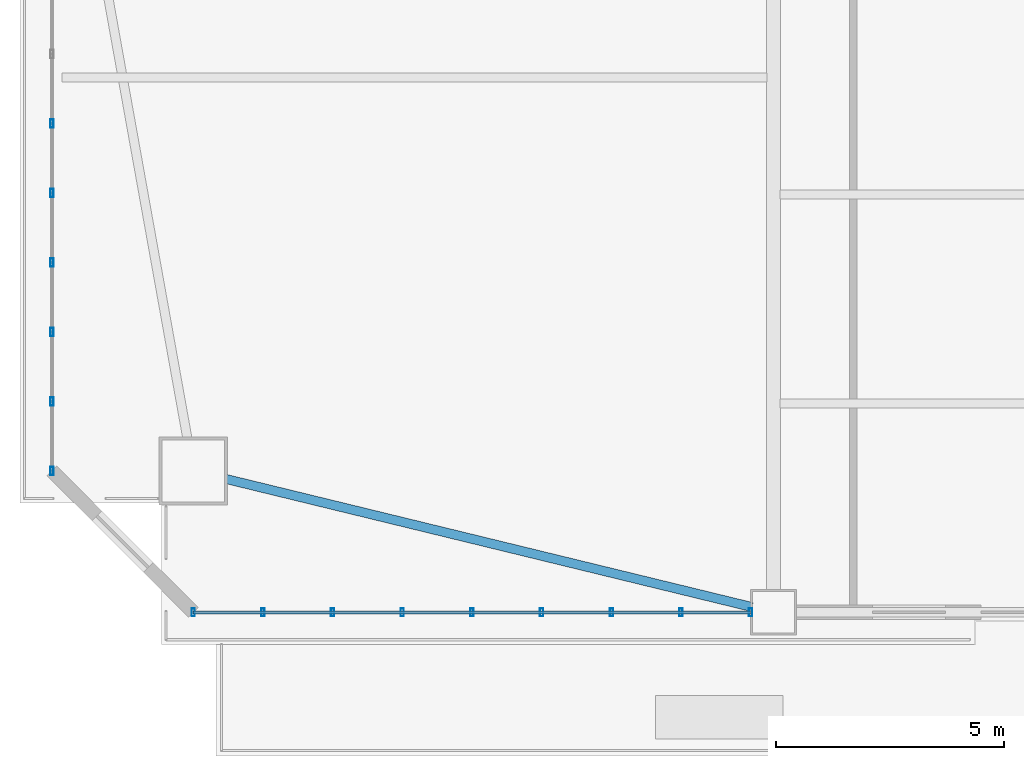
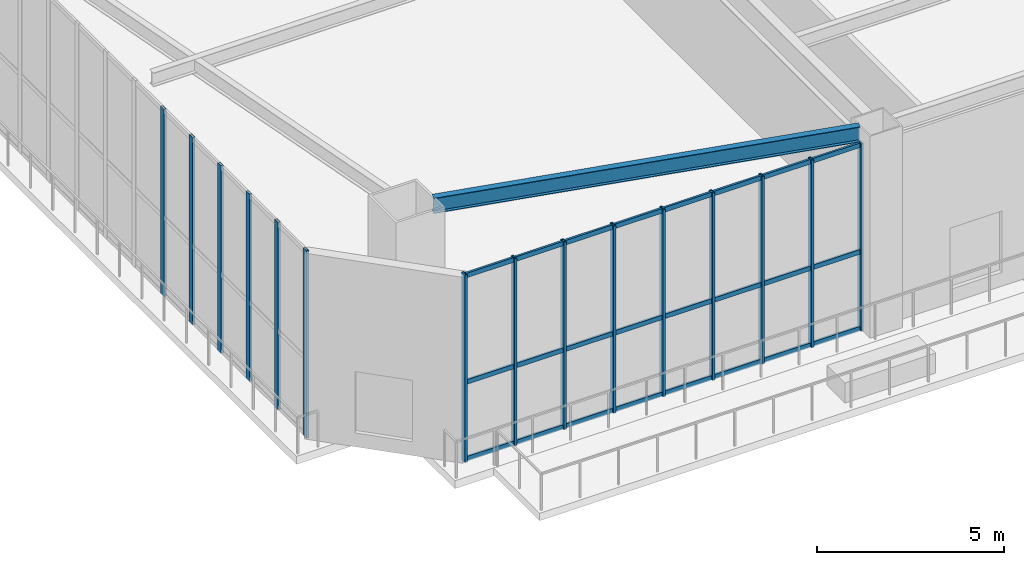
# One storey, part 2 of 22: 18 members, 1 beam, 2 elements without a shape of their own.
"""IFC4 building model written with IfcOpenShell, lengths in metres."""

from ifc_helpers import new_model, si_unit, direction, frame, origin, origin_2d, place, context, subcontext, project, spatial, hollow_rectangle, i_section, extrude, source, transform, mapped, material, layer, layer_set, material_profile, profile_set, type_object, element, aggregate, save


model = new_model("IFC4")

# Units and contexts
model_context = context("Model", 3, precision=1e-05, world=origin(), true_north=direction((0.0, 1.0)))
body_context = subcontext(model_context, "Body", "Model", "MODEL_VIEW")
ifc_project = project(units=[si_unit("LENGTHUNIT", "METRE"), si_unit("AREAUNIT", "SQUARE_METRE"), si_unit("VOLUMEUNIT", "CUBIC_METRE"), si_unit("PLANEANGLEUNIT", "RADIAN"), si_unit("MASSUNIT", "GRAM", prefix="KILO")], contexts=[model_context])

# Site, building, storey
site_placement = place(None, origin())
site = spatial("IfcSite", under=ifc_project, at=site_placement, CompositionType="ELEMENT")
building_placement = place(site_placement, origin())
building = spatial("IfcBuilding", under=site, at=building_placement, Name="Giltprow Tower", CompositionType="ELEMENT")
storey_placement = place(building_placement, frame((0.0, 0.0, 72.800048828125)))
storey = spatial("IfcBuildingStorey", under=building, at=storey_placement, Name="L18", CompositionType="ELEMENT", Elevation=72.800048828125)

# Beam
ifc_material_1 = material(Name="Structural steel Q355B", Category="steel")
ifc_material_profile_1 = material_profile(ifc_material_1, i_section(OverallWidth=0.199951171875, OverallDepth=0.5, WebThickness=0.010009765625, FlangeThickness=0.01611328125, at=origin_2d()), Name="HN 500x200x10x16")
ifc_profile_set_1 = profile_set([ifc_material_profile_1], Name="Structural steel Q355B")
beam_type = type_object("IfcBeamType", Name="BM-SPAN-HN500", PredefinedType="SPANDREL", material=ifc_profile_set_1)
shared_shape_1 = source(origin(), body_context, "Body", "SweptSolid", [
    extrude(i_section(OverallWidth=0.199951171875, OverallDepth=0.5, WebThickness=0.010009765625, FlangeThickness=0.01611328125, at=origin_2d()), origin(), (0.0, 0.0, 1.0), 11.86572265625),
])
beam_placement = place(storey_placement, frame((7.85009765625, 8.3310546875, 6.329833984375), z_axis=(0.971612917486, -0.236576284894, 0.0), x_axis=(0.236576284894, 0.971612917486, 0.0)))
element("IfcBeam", 1, at=beam_placement, inside=storey, type_object=beam_type, Name="L18 Perimeter Spandrel Beam MC_SW-S1", PredefinedType="SPANDREL", context=body_context, shape_type="MappedRepresentation", body=[
    mapped(shared_shape_1, transform((0.0, 0.0, 0.0), x_axis=(1.0, 0.0, 0.0), y_axis=(0.0, 1.0, 0.0), z_axis=(0.0, 0.0, 1.0), scale=1.0)),
])

# Curtain wall, members
ifc_material_2 = material(Name="Anodized bronze", Category="metal")
ifc_layer = layer(ifc_material_2, 0.179931640625, Name="Anodized bronze")
ifc_layer_set = layer_set([ifc_layer], Name="Anodized bronze")
curtain_wall_type = type_object("IfcCurtainWallType", Name="CW-SKYGARDEN", PredefinedType="NOTDEFINED", material=ifc_layer_set)
curtain_wall_1_placement = place(storey_placement, origin())
curtain_wall_1 = element("IfcCurtainWall", 2, at=curtain_wall_1_placement, inside=storey, type_object=curtain_wall_type, Name="L18 South Recessed Curtain Wall 1", PredefinedType="NOTDEFINED")
ifc_material_profile_2 = material_profile(ifc_material_2, hollow_rectangle(XDim=0.074951171875, YDim=0.179931640625, WallThickness=0.008056640625, at=origin_2d()), Name="RHS 180x75x8")
ifc_profile_set_2 = profile_set([ifc_material_profile_2], Name="Anodized bronze")
member_type_1 = type_object("IfcMemberType", Name="CW-MULLION-180x75", PredefinedType="MULLION", material=ifc_profile_set_2)
shared_shape_2 = source(origin(), body_context, "Body", "SweptSolid", [
    extrude(hollow_rectangle(XDim=0.074951171875, YDim=0.179931640625, WallThickness=0.008056640625, at=origin_2d()), origin(), (0.0, 0.0, 1.0), 6.114990234375),
])
member_1_placement = place(storey_placement, frame((7.135986328125, 5.408935546875, -0.02001953125), z_axis=(0.0, 0.0, 1.0), x_axis=(1.0, 0.0, 0.0)))
member_1 = element("IfcMember", 3, at=member_1_placement, type_object=member_type_1, Name="L18 South Recessed Curtain Wall 1 Mullion 1", PredefinedType="MULLION", context=body_context, shape_type="MappedRepresentation", body=[
    mapped(shared_shape_2, transform((0.0, 0.0, 0.0), x_axis=(1.0, 0.0, 0.0), y_axis=(0.0, 1.0, 0.0), z_axis=(0.0, 0.0, 1.0), scale=1.0)),
])
member_2_placement = place(storey_placement, frame((8.6630859375, 5.408935546875, -0.02001953125), z_axis=(0.0, 0.0, 1.0), x_axis=(1.0, 0.0, 0.0)))
member_2 = element("IfcMember", 4, at=member_2_placement, type_object=member_type_1, Name="L18 South Recessed Curtain Wall 1 Mullion 2", PredefinedType="MULLION", context=body_context, shape_type="MappedRepresentation", body=[
    mapped(shared_shape_2, transform((0.0, 0.0, 0.0), x_axis=(1.0, 0.0, 0.0), y_axis=(0.0, 1.0, 0.0), z_axis=(0.0, 0.0, 1.0), scale=1.0)),
])
member_3_placement = place(storey_placement, frame((10.18994140625, 5.408935546875, -0.02001953125), z_axis=(0.0, 0.0, 1.0), x_axis=(1.0, 0.0, 0.0)))
member_3 = element("IfcMember", 5, at=member_3_placement, type_object=member_type_1, Name="L18 South Recessed Curtain Wall 1 Mullion 3", PredefinedType="MULLION", context=body_context, shape_type="MappedRepresentation", body=[
    mapped(shared_shape_2, transform((0.0, 0.0, 0.0), x_axis=(1.0, 0.0, 0.0), y_axis=(0.0, 1.0, 0.0), z_axis=(0.0, 0.0, 1.0), scale=1.0)),
])
member_4_placement = place(storey_placement, frame((11.716064453125, 5.408935546875, -0.02001953125), z_axis=(0.0, 0.0, 1.0), x_axis=(1.0, 0.0, 0.0)))
member_4 = element("IfcMember", 6, at=member_4_placement, type_object=member_type_1, Name="L18 South Recessed Curtain Wall 1 Mullion 4", PredefinedType="MULLION", context=body_context, shape_type="MappedRepresentation", body=[
    mapped(shared_shape_2, transform((0.0, 0.0, 0.0), x_axis=(1.0, 0.0, 0.0), y_axis=(0.0, 1.0, 0.0), z_axis=(0.0, 0.0, 1.0), scale=1.0)),
])
member_5_placement = place(storey_placement, frame((13.242919921875, 5.408935546875, -0.02001953125), z_axis=(0.0, 0.0, 1.0), x_axis=(1.0, 0.0, 0.0)))
member_5 = element("IfcMember", 7, at=member_5_placement, type_object=member_type_1, Name="L18 South Recessed Curtain Wall 1 Mullion 5", PredefinedType="MULLION", context=body_context, shape_type="MappedRepresentation", body=[
    mapped(shared_shape_2, transform((0.0, 0.0, 0.0), x_axis=(1.0, 0.0, 0.0), y_axis=(0.0, 1.0, 0.0), z_axis=(0.0, 0.0, 1.0), scale=1.0)),
])
member_6_placement = place(storey_placement, frame((14.77001953125, 5.408935546875, -0.02001953125), z_axis=(0.0, 0.0, 1.0), x_axis=(1.0, 0.0, 0.0)))
member_6 = element("IfcMember", 8, at=member_6_placement, type_object=member_type_1, Name="L18 South Recessed Curtain Wall 1 Mullion 6", PredefinedType="MULLION", context=body_context, shape_type="MappedRepresentation", body=[
    mapped(shared_shape_2, transform((0.0, 0.0, 0.0), x_axis=(1.0, 0.0, 0.0), y_axis=(0.0, 1.0, 0.0), z_axis=(0.0, 0.0, 1.0), scale=1.0)),
])
member_7_placement = place(storey_placement, frame((16.297119140625, 5.408935546875, -0.02001953125), z_axis=(0.0, 0.0, 1.0), x_axis=(1.0, 0.0, 0.0)))
member_7 = element("IfcMember", 9, at=member_7_placement, type_object=member_type_1, Name="L18 South Recessed Curtain Wall 1 Mullion 7", PredefinedType="MULLION", context=body_context, shape_type="MappedRepresentation", body=[
    mapped(shared_shape_2, transform((0.0, 0.0, 0.0), x_axis=(1.0, 0.0, 0.0), y_axis=(0.0, 1.0, 0.0), z_axis=(0.0, 0.0, 1.0), scale=1.0)),
])
member_8_placement = place(storey_placement, frame((17.822998046875, 5.408935546875, -0.02001953125), z_axis=(0.0, 0.0, 1.0), x_axis=(1.0, 0.0, 0.0)))
member_8 = element("IfcMember", 10, at=member_8_placement, type_object=member_type_1, Name="L18 South Recessed Curtain Wall 1 Mullion 8", PredefinedType="MULLION", context=body_context, shape_type="MappedRepresentation", body=[
    mapped(shared_shape_2, transform((0.0, 0.0, 0.0), x_axis=(1.0, 0.0, 0.0), y_axis=(0.0, 1.0, 0.0), z_axis=(0.0, 0.0, 1.0), scale=1.0)),
])
member_9_placement = place(storey_placement, frame((19.35009765625, 5.408935546875, -0.02001953125), z_axis=(0.0, 0.0, 1.0), x_axis=(1.0, 0.0, 0.0)))
member_9 = element("IfcMember", 11, at=member_9_placement, type_object=member_type_1, Name="L18 South Recessed Curtain Wall 1 Mullion 9", PredefinedType="MULLION", context=body_context, shape_type="MappedRepresentation", body=[
    mapped(shared_shape_2, transform((0.0, 0.0, 0.0), x_axis=(1.0, 0.0, 0.0), y_axis=(0.0, 1.0, 0.0), z_axis=(0.0, 0.0, 1.0), scale=1.0)),
])

curtain_wall_2_placement = place(storey_placement, origin())
curtain_wall_2 = element("IfcCurtainWall", 12, at=curtain_wall_2_placement, inside=storey, type_object=curtain_wall_type, Name="L18 W Sky Garden Glazing", PredefinedType="NOTDEFINED")
member_10_placement = place(storey_placement, frame((4.0400390625, 8.5048828125, -0.02001953125), z_axis=(0.0, 0.0, 1.0), x_axis=(1.0, 0.0, 0.0)))
member_10 = element("IfcMember", 13, at=member_10_placement, type_object=member_type_1, Name="L18 W Sky Garden Glazing Mullion 1", PredefinedType="MULLION", context=body_context, shape_type="MappedRepresentation", body=[
    mapped(shared_shape_2, transform((0.0, 0.0, 0.0), x_axis=(1.0, 0.0, 0.0), y_axis=(0.0, 1.0, 0.0), z_axis=(0.0, 0.0, 1.0), scale=1.0)),
])
member_11_placement = place(storey_placement, frame((4.0400390625, 10.028076171875, -0.02001953125), z_axis=(0.0, 0.0, 1.0), x_axis=(1.0, 0.0, 0.0)))
member_11 = element("IfcMember", 14, at=member_11_placement, type_object=member_type_1, Name="L18 W Sky Garden Glazing Mullion 2", PredefinedType="MULLION", context=body_context, shape_type="MappedRepresentation", body=[
    mapped(shared_shape_2, transform((0.0, 0.0, 0.0), x_axis=(1.0, 0.0, 0.0), y_axis=(0.0, 1.0, 0.0), z_axis=(0.0, 0.0, 1.0), scale=1.0)),
])
member_12_placement = place(storey_placement, frame((4.0400390625, 11.550048828125, -0.02001953125), z_axis=(0.0, 0.0, 1.0), x_axis=(1.0, 0.0, 0.0)))
member_12 = element("IfcMember", 15, at=member_12_placement, type_object=member_type_1, Name="L18 W Sky Garden Glazing Mullion 3", PredefinedType="MULLION", context=body_context, shape_type="MappedRepresentation", body=[
    mapped(shared_shape_2, transform((0.0, 0.0, 0.0), x_axis=(1.0, 0.0, 0.0), y_axis=(0.0, 1.0, 0.0), z_axis=(0.0, 0.0, 1.0), scale=1.0)),
])
member_13_placement = place(storey_placement, frame((4.0400390625, 13.072998046875, -0.02001953125), z_axis=(0.0, 0.0, 1.0), x_axis=(1.0, 0.0, 0.0)))
member_13 = element("IfcMember", 16, at=member_13_placement, type_object=member_type_1, Name="L18 W Sky Garden Glazing Mullion 4", PredefinedType="MULLION", context=body_context, shape_type="MappedRepresentation", body=[
    mapped(shared_shape_2, transform((0.0, 0.0, 0.0), x_axis=(1.0, 0.0, 0.0), y_axis=(0.0, 1.0, 0.0), z_axis=(0.0, 0.0, 1.0), scale=1.0)),
])
member_14_placement = place(storey_placement, frame((4.0400390625, 14.595947265625, -0.02001953125), z_axis=(0.0, 0.0, 1.0), x_axis=(1.0, 0.0, 0.0)))
member_14 = element("IfcMember", 17, at=member_14_placement, type_object=member_type_1, Name="L18 W Sky Garden Glazing Mullion 5", PredefinedType="MULLION", context=body_context, shape_type="MappedRepresentation", body=[
    mapped(shared_shape_2, transform((0.0, 0.0, 0.0), x_axis=(1.0, 0.0, 0.0), y_axis=(0.0, 1.0, 0.0), z_axis=(0.0, 0.0, 1.0), scale=1.0)),
])
member_15_placement = place(storey_placement, frame((4.0400390625, 16.118896484375, -0.02001953125), z_axis=(0.0, 0.0, 1.0), x_axis=(1.0, 0.0, 0.0)))
member_15 = element("IfcMember", 18, at=member_15_placement, type_object=member_type_1, Name="L18 W Sky Garden Glazing Mullion 6", PredefinedType="MULLION", context=body_context, shape_type="MappedRepresentation", body=[
    mapped(shared_shape_2, transform((0.0, 0.0, 0.0), x_axis=(1.0, 0.0, 0.0), y_axis=(0.0, 1.0, 0.0), z_axis=(0.0, 0.0, 1.0), scale=1.0)),
])
aggregate(curtain_wall_2, [member_10, member_11, member_12, member_13, member_14, member_15])

# Member
ifc_material_profile_3 = material_profile(ifc_material_2, hollow_rectangle(XDim=0.06494140625, YDim=0.14990234375, WallThickness=0.006103515625, at=origin_2d()), Name="RHS 150x65x6")
ifc_profile_set_3 = profile_set([ifc_material_profile_3], Name="Anodized bronze")
member_type_2 = type_object("IfcMemberType", Name="CW-TRANSOM-150x65", PredefinedType="USERDEFINED", material=ifc_profile_set_3)
shared_shape_3 = source(origin(), body_context, "Body", "SweptSolid", [
    extrude(hollow_rectangle(XDim=0.06494140625, YDim=0.14990234375, WallThickness=0.006103515625, at=origin_2d()), origin(), (0.0, 0.0, 1.0), 12.214111328125),
])
member_16_placement = place(storey_placement, frame((7.135986328125, 5.408935546875, 0.0400390625), z_axis=(1.0, 0.0, 0.0), x_axis=(0.0, 1.0, 0.0)))
member_16 = element("IfcMember", 19, at=member_16_placement, type_object=member_type_2, Name="L18 South Recessed Curtain Wall 1 Transom 1", ObjectType="TRANSOM", PredefinedType="USERDEFINED", context=body_context, shape_type="MappedRepresentation", body=[
    mapped(shared_shape_3, transform((0.0, 0.0, 0.0), x_axis=(1.0, 0.0, 0.0), y_axis=(0.0, 1.0, 0.0), z_axis=(0.0, 0.0, 1.0), scale=1.0)),
])

member_17_placement = place(storey_placement, frame((7.135986328125, 5.408935546875, 2.544921875), z_axis=(1.0, 0.0, 0.0), x_axis=(0.0, 1.0, 0.0)))
member_17 = element("IfcMember", 20, at=member_17_placement, type_object=member_type_2, Name="L18 South Recessed Curtain Wall 1 Transom 2", ObjectType="TRANSOM", PredefinedType="USERDEFINED", context=body_context, shape_type="MappedRepresentation", body=[
    mapped(shared_shape_3, transform((0.0, 0.0, 0.0), x_axis=(1.0, 0.0, 0.0), y_axis=(0.0, 1.0, 0.0), z_axis=(0.0, 0.0, 1.0), scale=1.0)),
])

member_18_placement = place(storey_placement, frame((7.135986328125, 5.408935546875, 6.02001953125), z_axis=(1.0, 0.0, 0.0), x_axis=(0.0, 1.0, 0.0)))
member_18 = element("IfcMember", 21, at=member_18_placement, type_object=member_type_2, Name="L18 South Recessed Curtain Wall 1 Transom 3", ObjectType="TRANSOM", PredefinedType="USERDEFINED", context=body_context, shape_type="MappedRepresentation", body=[
    mapped(shared_shape_3, transform((0.0, 0.0, 0.0), x_axis=(1.0, 0.0, 0.0), y_axis=(0.0, 1.0, 0.0), z_axis=(0.0, 0.0, 1.0), scale=1.0)),
])

aggregate(curtain_wall_1, [member_1, member_2, member_3, member_4, member_5, member_6, member_7, member_8, member_9, member_16, member_17, member_18])

save(model, "model.ifc")
